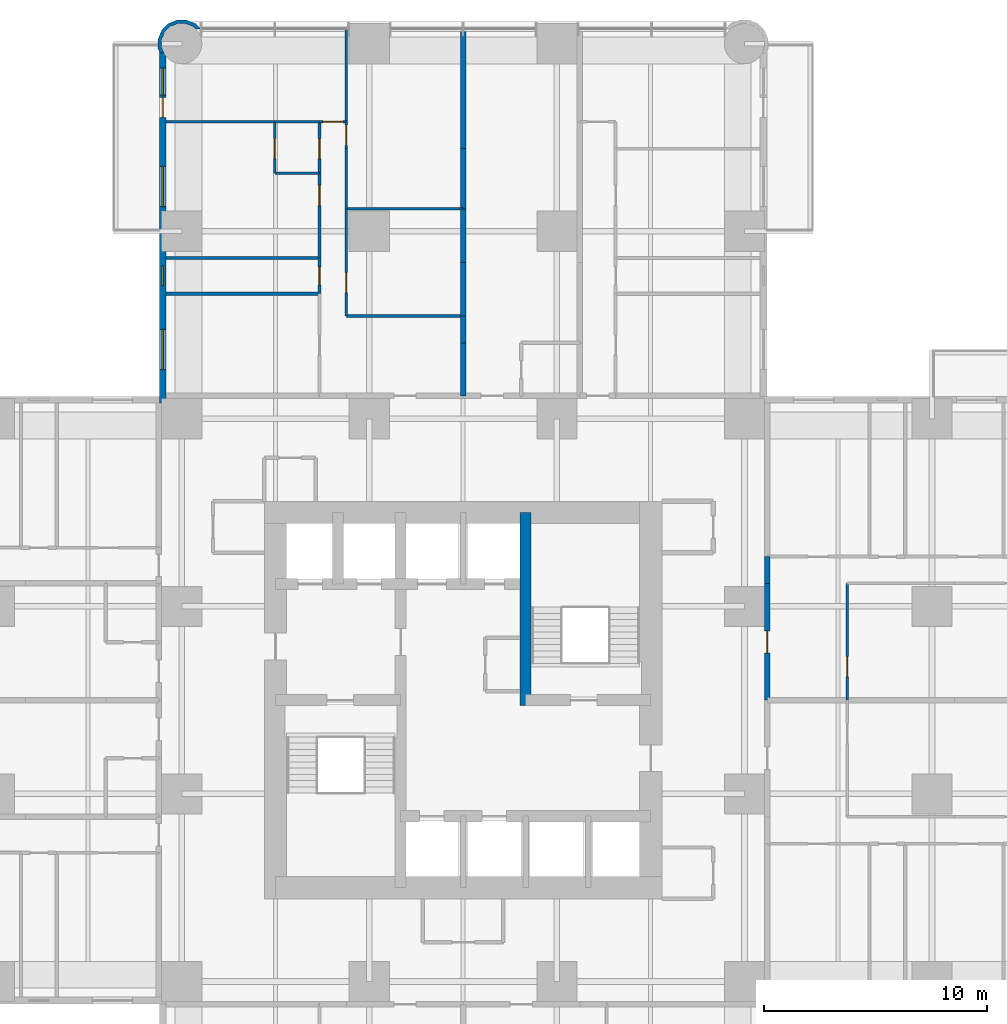
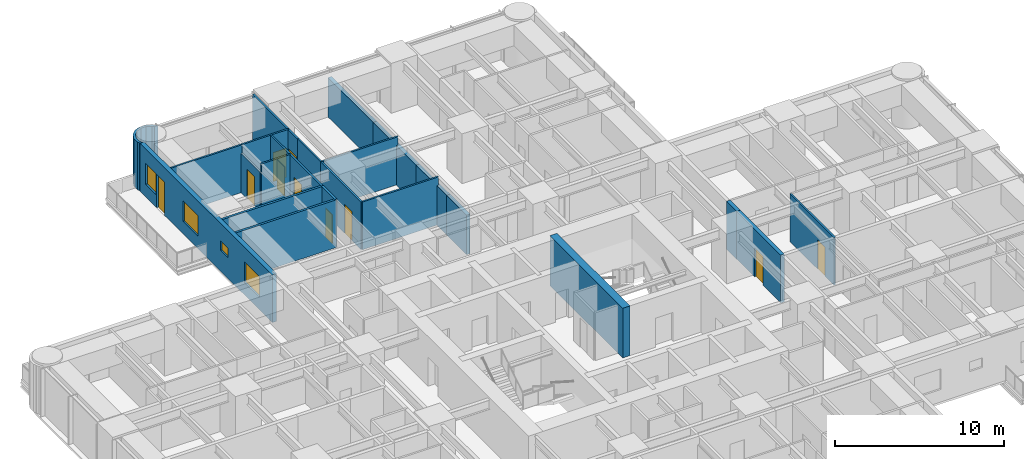
# One storey, part 13 of 17: 28 walls, 10 doors, 4 windows, 14 openings.
"""IFC4 building model written with IfcOpenShell, lengths in metres."""

from ifc_helpers import new_model, si_unit, direction, frame, frame_2d, origin, place, context, subcontext, project, spatial, polyline, rectangle, outline, extrude, material, layer, layer_set, type_object, element, fill, save


model = new_model("IFC4")

# Units and contexts
model_context = context("Model", 3, precision=1e-05, world=origin(), true_north=direction((0.0, 1.0)))
body_context = subcontext(model_context, "Body", "Model", "MODEL_VIEW")
ifc_project = project(units=[si_unit("LENGTHUNIT", "METRE"), si_unit("AREAUNIT", "SQUARE_METRE"), si_unit("VOLUMEUNIT", "CUBIC_METRE"), si_unit("PLANEANGLEUNIT", "RADIAN"), si_unit("MASSUNIT", "GRAM", prefix="KILO")], contexts=[model_context])

# Site, building, storey
site_placement = place(None, origin())
site = spatial("IfcSite", under=ifc_project, at=site_placement, CompositionType="ELEMENT")
building_placement = place(site_placement, origin())
building = spatial("IfcBuilding", under=site, at=building_placement, Name="Torre Alcanfor", CompositionType="ELEMENT")
storey_placement = place(building_placement, frame((0.0, 0.0, 66.89990234375)))
storey = spatial("IfcBuildingStorey", under=building, at=storey_placement, Name="L16", CompositionType="ELEMENT", Elevation=66.89990234375)

# Wall, opening, door
ifc_material_1 = material(Name="Concrete block masonry, hollow blocks NMX-C-404 9 MPa", Category="masonry")
ifc_layer_1 = layer(ifc_material_1, 0.25)
ifc_layer_set_1 = layer_set([ifc_layer_1], Name="Apartment entrance wall 250 EI 60")
wall_type_1 = type_object("IfcWallType", Name="Apartment entrance wall 250 EI 60", PredefinedType="PARTITIONING", material=ifc_layer_set_1)
wall_1_placement = place(storey_placement, frame((43.02490234375, 34.62890625, 0.0), z_axis=(0.0, 0.0, 1.0), x_axis=(0.0, -1.0, 0.0)))
wall_1 = element("IfcWall", 1, at=wall_1_placement, inside=storey, type_object=wall_type_1, Name="Partition L16-CORR / L16-E1-ZAG", PredefinedType="PARTITIONING", context=body_context, shape_type="SweptSolid", body=[
    extrude(rectangle(XDim=5.22900390625, YDim=0.25, at=frame_2d((2.614501953125, 0.0))), origin(), (0.0, 0.0, 1.0), 3.4501953125),
])
opening_1_placement = place(wall_1_placement, frame((2.12890625, 0.0, 0.0)))
opening_1 = element("IfcOpeningElement", 2, at=opening_1_placement, cuts=wall_1, Name="Opening D-A1", PredefinedType="OPENING", context=body_context, shape_type="SweptSolid", body=[
    extrude(rectangle(XDim=1.0, YDim=2.10009765625, at=frame_2d((0.5, 1.050048828125))), frame((0.0, 0.135009765625, 0.0), z_axis=(0.0, -1.0, 0.0), x_axis=(1.0, 0.0, 0.0)), (0.0, 0.0, 1.0), 0.27001953125),
])
ifc_material_2 = material(Name="Galvanised steel sheet ASTM A653", Category="steel")
door_type_1 = type_object("IfcDoorType", Name="Apartment entrance door FD60 1000x2100", OperationType="SINGLE_SWING_LEFT", PredefinedType="DOOR", material=ifc_material_2)
door_1_placement = place(opening_1_placement, origin())
door_1 = element("IfcDoor", 3, at=door_1_placement, inside=storey, type_object=door_type_1, Name="Apartment entrance L16-E1", OperationType="SINGLE_SWING_RIGHT", OverallHeight=2.10009765625, OverallWidth=1.0, PredefinedType="DOOR", context=body_context, shape_type="SweptSolid", body=[
    extrude(rectangle(XDim=1.0, YDim=2.10009765625, at=frame_2d((0.5, 1.050048828125))), frame((0.0, 0.02490234375, 0.0), z_axis=(0.0, -1.0, 0.0), x_axis=(1.0, 0.0, 0.0)), (0.0, 0.0, 1.0), 0.050048828125),
])
fill(opening_1, door_1)

# Walls
wall_2_placement = place(storey_placement, frame((43.02490234375, 35.8291015625, 0.0), z_axis=(0.0, 0.0, 1.0), x_axis=(0.0, -1.0, 0.0)))
element("IfcWall", 4, at=wall_2_placement, inside=storey, type_object=wall_type_1, Name="Partition L16-CORR / L16-E1-HALL", PredefinedType="PARTITIONING", context=body_context, shape_type="SweptSolid", body=[
    extrude(rectangle(XDim=1.2001953125, YDim=0.25, at=frame_2d((0.60009765625, 0.0))), origin(), (0.0, 0.0, 1.0), 3.4501953125),
])
ifc_material_3 = material(Name="Gypsum board on steel studs", Category="steel")
ifc_layer_2 = layer(ifc_material_3, 0.1201171875)
ifc_layer_set_2 = layer_set([ifc_layer_2], Name="Apartment partition 120")
wall_type_2 = type_object("IfcWallType", Name="Apartment partition 120", PredefinedType="PARTITIONING", material=ifc_layer_set_2)
for number, where, z_axis, x_axis, name in (
    (5, (29.39990234375, 46.60009765625, 0.0), (0.0, 0.0, 1.0), (-1.0, 0.0, 0.0), "Partition L16-N1-ZAG / L16-N1-FAMILY"),
    (6, (29.39990234375, 51.39990234375, 0.0), (0.0, 0.0, 1.0), (-1.0, 0.0, 0.0), "Partition L16-N1-FAMILY / L16-N1-KITCHEN"),
):
    element("IfcWall", number, at=place(storey_placement, frame(where, z_axis=z_axis, x_axis=x_axis)), inside=storey, type_object=wall_type_2, Name=name, PredefinedType="PARTITIONING", context=body_context, shape_type="SweptSolid", body=[
        extrude(rectangle(XDim=5.22900390625, YDim=0.1201171875, at=frame_2d((2.614501953125, 0.0))), origin(), (0.0, 0.0, 1.0), 3.4501953125),
    ])

# Wall, opening, door
wall_3_placement = place(storey_placement, frame((24.1708984375, 51.39990234375, 0.0), z_axis=(0.0, 0.0, 1.0), x_axis=(0.0, -1.0, 0.0)))
wall_3 = element("IfcWall", 7, at=wall_3_placement, inside=storey, type_object=wall_type_2, Name="Partition L16-N1-FAMILY / L16-N1-HALL", PredefinedType="PARTITIONING", context=body_context, shape_type="SweptSolid", body=[
    extrude(rectangle(XDim=4.7998046875, YDim=0.1201171875, at=frame_2d((2.39990234375, 0.0))), origin(), (0.0, 0.0, 1.0), 3.4501953125),
])
opening_2_placement = place(wall_3_placement, frame((2.85009765625, 0.0, 0.0)))
opening_2 = element("IfcOpeningElement", 8, at=opening_2_placement, cuts=wall_3, Name="Opening D-R1", PredefinedType="OPENING", context=body_context, shape_type="SweptSolid", body=[
    extrude(rectangle(XDim=0.89990234375, YDim=2.10009765625, at=frame_2d((0.449951171875, 1.050048828125))), frame((0.0, 0.070068359375, 0.0), z_axis=(0.0, -1.0, 0.0), x_axis=(1.0, 0.0, 0.0)), (0.0, 0.0, 1.0), 0.14013671875),
])
ifc_material_4 = material(Name="Timber", Category="wood")
door_type_2 = type_object("IfcDoorType", Name="Internal door 900x2100", OperationType="SINGLE_SWING_LEFT", PredefinedType="DOOR", material=ifc_material_4)
door_2_placement = place(opening_2_placement, origin())
door_2 = element("IfcDoor", 9, at=door_2_placement, inside=storey, type_object=door_type_2, Name="Door L16-N1 family", OperationType="SINGLE_SWING_RIGHT", OverallHeight=2.10009765625, OverallWidth=0.89990234375, PredefinedType="DOOR", context=body_context, shape_type="SweptSolid", body=[
    extrude(rectangle(XDim=0.89990234375, YDim=2.10009765625, at=frame_2d((0.449951171875, 1.050048828125))), frame((0.0, 0.02490234375, 0.0), z_axis=(0.0, -1.0, 0.0), x_axis=(1.0, 0.0, 0.0)), (0.0, 0.0, 1.0), 0.050048828125),
])
fill(opening_2, door_2)

# Wall
wall_4_placement = place(storey_placement, frame((24.1708984375, 54.10009765625, 0.0), z_axis=(0.0, 0.0, 1.0), x_axis=(0.0, -1.0, 0.0)))
element("IfcWall", 10, at=wall_4_placement, inside=storey, type_object=wall_type_2, Name="Partition L16-N1-KITCHEN / L16-N1-HALL", PredefinedType="PARTITIONING", context=body_context, shape_type="SweptSolid", body=[
    extrude(rectangle(XDim=2.7001953125, YDim=0.1201171875, at=frame_2d((1.35009765625, 0.0))), origin(), (0.0, 0.0, 1.0), 3.4501953125),
])

# Wall, opening, door
wall_5_placement = place(storey_placement, frame((24.1708984375, 55.300048828125, 0.0), z_axis=(0.0, 0.0, 1.0), x_axis=(0.0, -1.0, 0.0)))
wall_5 = element("IfcWall", 11, at=wall_5_placement, inside=storey, type_object=wall_type_2, Name="Partition L16-N1-LIVING / L16-N1-HALL", PredefinedType="PARTITIONING", context=body_context, shape_type="SweptSolid", body=[
    extrude(rectangle(XDim=1.199951171875, YDim=0.1201171875, at=frame_2d((0.60009765625, 0.0))), origin(), (0.0, 0.0, 1.0), 3.4501953125),
])
opening_3_placement = place(wall_5_placement, frame((0.14990234375, 0.0, 0.0)))
opening_3 = element("IfcOpeningElement", 12, at=opening_3_placement, cuts=wall_5, Name="Opening D-R1", PredefinedType="OPENING", context=body_context, shape_type="SweptSolid", body=[
    extrude(rectangle(XDim=0.89990234375, YDim=2.10009765625, at=frame_2d((0.449951171875, 1.050048828125))), frame((0.0, 0.070068359375, 0.0), z_axis=(0.0, -1.0, 0.0), x_axis=(1.0, 0.0, 0.0)), (0.0, 0.0, 1.0), 0.14013671875),
])
door_3_placement = place(opening_3_placement, origin())
door_3 = element("IfcDoor", 13, at=door_3_placement, inside=storey, type_object=door_type_2, Name="Door L16-N1 living", OperationType="SINGLE_SWING_RIGHT", OverallHeight=2.10009765625, OverallWidth=0.89990234375, PredefinedType="DOOR", context=body_context, shape_type="SweptSolid", body=[
    extrude(rectangle(XDim=0.89990234375, YDim=2.10009765625, at=frame_2d((0.449951171875, 1.050048828125))), frame((0.0, 0.02490234375, 0.0), z_axis=(0.0, -1.0, 0.0), x_axis=(1.0, 0.0, 0.0)), (0.0, 0.0, 1.0), 0.050048828125),
])
fill(opening_3, door_3)

# Wall
wall_6_placement = place(storey_placement, frame((24.1708984375, 59.449951171875, 0.0), z_axis=(0.0, 0.0, 1.0), x_axis=(0.0, -1.0, 0.0)))
element("IfcWall", 14, at=wall_6_placement, inside=storey, type_object=wall_type_2, Name="Partition L16-N1-LIVING / L16-N1-WGARD", PredefinedType="PARTITIONING", context=body_context, shape_type="SweptSolid", body=[
    extrude(rectangle(XDim=4.14990234375, YDim=0.1201171875, at=frame_2d((2.074951171875, 0.0))), origin(), (0.0, 0.0, 1.0), 3.4501953125),
])

# Wall, opening, door
wall_7_placement = place(storey_placement, frame((22.970947265625, 53.0, 0.0), z_axis=(0.0, 0.0, 1.0), x_axis=(0.0, -1.0, 0.0)))
wall_7 = element("IfcWall", 15, at=wall_7_placement, inside=storey, type_object=wall_type_2, Name="Partition L16-N1-HALL / L16-N1-MASTER", PredefinedType="PARTITIONING", context=body_context, shape_type="SweptSolid", body=[
    extrude(rectangle(XDim=3.800048828125, YDim=0.1201171875, at=frame_2d((1.89990234375, 0.0))), origin(), (0.0, 0.0, 1.0), 3.4501953125),
])
opening_4_placement = place(wall_7_placement, frame((0.550048828125, 0.0, 0.0)))
opening_4 = element("IfcOpeningElement", 16, at=opening_4_placement, cuts=wall_7, Name="Opening D-R1", PredefinedType="OPENING", context=body_context, shape_type="SweptSolid", body=[
    extrude(rectangle(XDim=0.89990234375, YDim=2.10009765625, at=frame_2d((0.449951171875, 1.050048828125))), frame((0.0, 0.070068359375, 0.0), z_axis=(0.0, -1.0, 0.0), x_axis=(1.0, 0.0, 0.0)), (0.0, 0.0, 1.0), 0.14013671875),
])
door_4_placement = place(opening_4_placement, frame((0.89990234375, 0.0, 0.0), z_axis=(0.0, 0.0, 1.0), x_axis=(-1.0, 0.0, 0.0)))
door_4 = element("IfcDoor", 17, at=door_4_placement, inside=storey, type_object=door_type_2, Name="Door L16-N1 master", OperationType="SINGLE_SWING_RIGHT", OverallHeight=2.10009765625, OverallWidth=0.89990234375, PredefinedType="DOOR", context=body_context, shape_type="SweptSolid", body=[
    extrude(rectangle(XDim=0.89990234375, YDim=2.10009765625, at=frame_2d((0.449951171875, 1.050048828125))), frame((0.0, 0.025146484375, 0.0), z_axis=(0.0, -1.0, 0.0), x_axis=(1.0, 0.0, 0.0)), (0.0, 0.0, 1.0), 0.050048828125),
])
fill(opening_4, door_4)

wall_8_placement = place(storey_placement, frame((22.970947265625, 55.300048828125, 0.0), z_axis=(0.0, 0.0, 1.0), x_axis=(0.0, -1.0, 0.0)))
wall_8 = element("IfcWall", 18, at=wall_8_placement, inside=storey, type_object=wall_type_2, Name="Partition L16-N1-HALL / L16-N1-VEST", PredefinedType="PARTITIONING", context=body_context, shape_type="SweptSolid", body=[
    extrude(rectangle(XDim=2.300048828125, YDim=0.1201171875, at=frame_2d((1.14990234375, 0.0))), origin(), (0.0, 0.0, 1.0), 3.4501953125),
])
opening_5_placement = place(wall_8_placement, frame((0.75, 0.0, 0.0)))
opening_5 = element("IfcOpeningElement", 19, at=opening_5_placement, cuts=wall_8, Name="Opening D-R1", PredefinedType="OPENING", context=body_context, shape_type="SweptSolid", body=[
    extrude(rectangle(XDim=0.89990234375, YDim=2.10009765625, at=frame_2d((0.449951171875, 1.050048828125))), frame((0.0, 0.070068359375, 0.0), z_axis=(0.0, -1.0, 0.0), x_axis=(1.0, 0.0, 0.0)), (0.0, 0.0, 1.0), 0.14013671875),
])
door_5_placement = place(opening_5_placement, frame((0.89990234375, 0.0, 0.0), z_axis=(0.0, 0.0, 1.0), x_axis=(-1.0, 0.0, 0.0)))
door_5 = element("IfcDoor", 20, at=door_5_placement, inside=storey, type_object=door_type_2, Name="Door L16-N1 vest", OperationType="SINGLE_SWING_LEFT", OverallHeight=2.10009765625, OverallWidth=0.89990234375, PredefinedType="DOOR", context=body_context, shape_type="SweptSolid", body=[
    extrude(rectangle(XDim=0.89990234375, YDim=2.10009765625, at=frame_2d((0.449951171875, 1.050048828125))), frame((0.0, 0.025146484375, 0.0), z_axis=(0.0, -1.0, 0.0), x_axis=(1.0, 0.0, 0.0)), (0.0, 0.0, 1.0), 0.050048828125),
])
fill(opening_5, door_5)

wall_9_placement = place(storey_placement, frame((24.1708984375, 55.300048828125, 0.0), z_axis=(0.0, 0.0, 1.0), x_axis=(-1.0, 0.0, 0.0)))
wall_9 = element("IfcWall", 21, at=wall_9_placement, inside=storey, type_object=wall_type_2, Name="Partition L16-N1-HALL / L16-N1-WGARD", PredefinedType="PARTITIONING", context=body_context, shape_type="SweptSolid", body=[
    extrude(rectangle(XDim=1.199951171875, YDim=0.1201171875, at=frame_2d((0.60009765625, 0.0))), origin(), (0.0, 0.0, 1.0), 3.4501953125),
])
opening_6_placement = place(wall_9_placement, frame((0.15087890625, 0.0, 0.0)))
opening_6 = element("IfcOpeningElement", 22, at=opening_6_placement, cuts=wall_9, Name="Opening D-R1", PredefinedType="OPENING", context=body_context, shape_type="SweptSolid", body=[
    extrude(rectangle(XDim=0.89990234375, YDim=2.10009765625, at=frame_2d((0.449951171875, 1.050048828125))), frame((0.0, 0.070068359375, 0.0), z_axis=(0.0, -1.0, 0.0), x_axis=(1.0, 0.0, 0.0)), (0.0, 0.0, 1.0), 0.14013671875),
])
door_6_placement = place(opening_6_placement, frame((0.89990234375, 0.0, 0.0), z_axis=(0.0, 0.0, 1.0), x_axis=(-1.0, 0.0, 0.0)))
door_6 = element("IfcDoor", 23, at=door_6_placement, inside=storey, type_object=door_type_2, Name="Door L16-N1 wgard", OperationType="SINGLE_SWING_RIGHT", OverallHeight=2.10009765625, OverallWidth=0.89990234375, PredefinedType="DOOR", context=body_context, shape_type="SweptSolid", body=[
    extrude(rectangle(XDim=0.89990234375, YDim=2.10009765625, at=frame_2d((0.449951171875, 1.050048828125))), frame((0.0, 0.025146484375, 0.0), z_axis=(0.0, -1.0, 0.0), x_axis=(1.0, 0.0, 0.0)), (0.0, 0.0, 1.0), 0.050048828125),
])
fill(opening_6, door_6)

wall_10_placement = place(storey_placement, frame((20.970947265625, 55.300048828125, 0.0), z_axis=(0.0, 0.0, 1.0), x_axis=(0.0, -1.0, 0.0)))
wall_10 = element("IfcWall", 24, at=wall_10_placement, inside=storey, type_object=wall_type_2, Name="Partition L16-N1-MASTER / L16-N1-VEST", PredefinedType="PARTITIONING", context=body_context, shape_type="SweptSolid", body=[
    extrude(rectangle(XDim=2.300048828125, YDim=0.1201171875, at=frame_2d((1.14990234375, 0.0))), origin(), (0.0, 0.0, 1.0), 2.84814453125),
])
opening_7_placement = place(wall_10_placement, frame((0.75, 0.0, 0.0)))
opening_7 = element("IfcOpeningElement", 25, at=opening_7_placement, cuts=wall_10, Name="Opening D-R1", PredefinedType="OPENING", context=body_context, shape_type="SweptSolid", body=[
    extrude(rectangle(XDim=0.89990234375, YDim=2.10009765625, at=frame_2d((0.449951171875, 1.050048828125))), frame((0.0, 0.070068359375, 0.0), z_axis=(0.0, -1.0, 0.0), x_axis=(1.0, 0.0, 0.0)), (0.0, 0.0, 1.0), 0.14013671875),
])
door_7_placement = place(opening_7_placement, origin())
door_7 = element("IfcDoor", 26, at=door_7_placement, inside=storey, type_object=door_type_2, Name="Door L16-N1 master", OperationType="SINGLE_SWING_RIGHT", OverallHeight=2.10009765625, OverallWidth=0.89990234375, PredefinedType="DOOR", context=body_context, shape_type="SweptSolid", body=[
    extrude(rectangle(XDim=0.89990234375, YDim=2.10009765625, at=frame_2d((0.449951171875, 1.050048828125))), frame((0.0, 0.02490234375, 0.0), z_axis=(0.0, -1.0, 0.0), x_axis=(1.0, 0.0, 0.0)), (0.0, 0.0, 1.0), 0.050048828125),
])
fill(opening_7, door_7)

# Walls
wall_11_placement = place(storey_placement, frame((20.970947265625, 53.0, 0.0), z_axis=(0.0, 0.0, 1.0), x_axis=(1.0, 0.0, 0.0)))
element("IfcWall", 27, at=wall_11_placement, inside=storey, type_object=wall_type_2, Name="Partition L16-N1-MASTER / L16-N1-VEST", PredefinedType="PARTITIONING", context=body_context, shape_type="SweptSolid", body=[
    extrude(rectangle(XDim=2.0, YDim=0.1201171875, at=frame_2d((1.0, 0.0))), origin(), (0.0, 0.0, 1.0), 3.4501953125),
])
wall_12_placement = place(storey_placement, frame((16.10009765625, 55.300048828125, 0.0), z_axis=(0.0, 0.0, 1.0), x_axis=(1.0, 0.0, 0.0)))
element("IfcWall", 28, at=wall_12_placement, inside=storey, type_object=wall_type_2, Name="Partition L16-N1-MASTER / L16-N1-WGARD", PredefinedType="PARTITIONING", context=body_context, shape_type="SweptSolid", body=[
    extrude(rectangle(XDim=4.870849609375, YDim=0.1201171875, at=frame_2d((2.435546875, 0.0))), origin(), (0.0, 0.0, 1.0), 3.4501953125),
])
wall_13_placement = place(storey_placement, frame((22.970947265625, 55.300048828125, 0.0), z_axis=(0.0, 0.0, 1.0), x_axis=(-1.0, 0.0, 0.0)))
element("IfcWall", 29, at=wall_13_placement, inside=storey, type_object=wall_type_2, Name="Partition L16-N1-VEST / L16-N1-WGARD", PredefinedType="PARTITIONING", context=body_context, shape_type="SweptSolid", body=[
    extrude(rectangle(XDim=2.0, YDim=0.1201171875, at=frame_2d((1.0, 0.0))), origin(), (0.0, 0.0, 1.0), 3.4501953125),
])

# Wall, opening, door
wall_14_placement = place(storey_placement, frame((46.60009765625, 29.39990234375, 0.0), z_axis=(0.0, 0.0, 1.0), x_axis=(0.0, 1.0, 0.0)))
wall_14 = element("IfcWall", 30, at=wall_14_placement, inside=storey, type_object=wall_type_2, Name="Partition L16-E1-ZAG / L16-E1-KITCHEN", PredefinedType="PARTITIONING", context=body_context, shape_type="SweptSolid", body=[
    extrude(rectangle(XDim=5.22900390625, YDim=0.1201171875, at=frame_2d((2.614501953125, 0.0))), origin(), (0.0, 0.0, 1.0), 3.4501953125),
])
opening_8_placement = place(wall_14_placement, frame((1.050048828125, 0.0, 0.0)))
opening_8 = element("IfcOpeningElement", 31, at=opening_8_placement, cuts=wall_14, Name="Opening D-R1", PredefinedType="OPENING", context=body_context, shape_type="SweptSolid", body=[
    extrude(rectangle(XDim=0.89990234375, YDim=2.10009765625, at=frame_2d((0.449951171875, 1.050048828125))), frame((0.0, 0.070068359375, 0.0), z_axis=(0.0, -1.0, 0.0), x_axis=(1.0, 0.0, 0.0)), (0.0, 0.0, 1.0), 0.14013671875),
])
door_8_placement = place(opening_8_placement, frame((0.89990234375, 0.0, 0.0), z_axis=(0.0, 0.0, 1.0), x_axis=(-1.0, 0.0, 0.0)))
door_8 = element("IfcDoor", 32, at=door_8_placement, inside=storey, type_object=door_type_2, Name="Door L16-E1 kitchen", OperationType="SINGLE_SWING_RIGHT", OverallHeight=2.10009765625, OverallWidth=0.89990234375, PredefinedType="DOOR", context=body_context, shape_type="SweptSolid", body=[
    extrude(rectangle(XDim=0.89990234375, YDim=2.10009765625, at=frame_2d((0.449951171875, 1.050048828125))), frame((0.0, 0.025146484375, 0.0), z_axis=(0.0, -1.0, 0.0), x_axis=(1.0, 0.0, 0.0)), (0.0, 0.0, 1.0), 0.050048828125),
])
fill(opening_8, door_8)

# Wall
ifc_material_5 = material(Name="Concrete f'c 70 MPa", Category="concrete")
ifc_layer_3 = layer(ifc_material_5, 0.5)
ifc_layer_set_3 = layer_set([ifc_layer_3], Name="Core inner wall 500 f'c70")
wall_type_3 = type_object("IfcWallType", Name="Core inner wall 500 f'c70", PredefinedType="SHEAR", material=ifc_layer_set_3)
wall_15_placement = place(storey_placement, frame((32.199951171875, 29.14990234375, 0.0), z_axis=(0.0, 0.0, 1.0), x_axis=(0.0, 1.0, 0.0)))
element("IfcWall", 33, at=wall_15_placement, inside=storey, type_object=wall_type_3, Name="Core wall X322N L16", PredefinedType="SHEAR", context=body_context, shape_type="SweptSolid", body=[
    extrude(rectangle(XDim=8.650146484375, YDim=0.5, at=frame_2d((4.3251953125, 0.0))), origin(), (0.0, 0.0, 1.0), 3.60009765625),
])

# Wall, openings, door, windows
ifc_material_6 = material(Name="Limestone cladding", Category="masonry")
ifc_layer_4 = layer(ifc_material_6, 0.0400390625, Name="Facing")
ifc_material_7 = material(Name="Ventilated air cavity")
ifc_layer_5 = layer(ifc_material_7, 0.02001953125, ventilated=True, Name="Ventilated joint")
ifc_material_8 = material(Name="Mineral wool insulation", Category="insulation")
ifc_layer_6 = layer(ifc_material_8, 0.10009765625, Name="Insulation")
ifc_material_9 = material(Name="Concrete f'c 35 MPa", Category="concrete")
ifc_layer_7 = layer(ifc_material_9, 0.139892578125, Name="Backing")
ifc_layer_set_4 = layer_set([ifc_layer_4, ifc_layer_5, ifc_layer_6, ifc_layer_7], Name="External wall stone-clad 300")
wall_type_4 = type_object("IfcWallType", Name="External wall stone-clad 300", PredefinedType="SOLIDWALL", material=ifc_layer_set_4)
wall_16_placement = place(storey_placement, frame((15.949951171875, 58.39990234375, 0.0), z_axis=(0.0, 0.0, 1.0), x_axis=(0.0, -1.0, 0.0)))
wall_16 = element("IfcWall", 34, at=wall_16_placement, inside=storey, type_object=wall_type_4, Name="External wall L16 12", PredefinedType="SOLIDWALL", context=body_context, shape_type="SweptSolid", body=[
    extrude(rectangle(XDim=15.699951171875, YDim=0.300048828125, at=frame_2d((7.85009765625, 0.0))), origin(), (0.0, 0.0, 1.0), 3.4501953125),
])
opening_9_placement = place(wall_16_placement, frame((12.39990234375, 0.0, 0.89990234375)))
opening_9 = element("IfcOpeningElement", 35, at=opening_9_placement, cuts=wall_16, Name="Opening W2", PredefinedType="OPENING", context=body_context, shape_type="SweptSolid", body=[
    extrude(rectangle(XDim=1.800048828125, YDim=1.5, at=frame_2d((0.89990234375, 0.75))), frame((0.0, 0.159912109375, 0.0), z_axis=(0.0, -1.0, 0.0), x_axis=(1.0, 0.0, 0.0)), (0.0, 0.0, 1.0), 0.320068359375),
])
opening_10_placement = place(wall_16_placement, frame((9.550048828125, 0.0, 1.5)))
opening_10 = element("IfcOpeningElement", 36, at=opening_10_placement, cuts=wall_16, Name="Opening W3", PredefinedType="OPENING", context=body_context, shape_type="SweptSolid", body=[
    extrude(rectangle(XDim=0.89990234375, YDim=0.699951171875, at=frame_2d((0.449951171875, 0.35009765625))), frame((0.0, 0.159912109375, 0.0), z_axis=(0.0, -1.0, 0.0), x_axis=(1.0, 0.0, 0.0)), (0.0, 0.0, 1.0), 0.320068359375),
])
opening_11_placement = place(wall_16_placement, frame((5.10009765625, 0.0, 0.89990234375)))
opening_11 = element("IfcOpeningElement", 37, at=opening_11_placement, cuts=wall_16, Name="Opening W2", PredefinedType="OPENING", context=body_context, shape_type="SweptSolid", body=[
    extrude(rectangle(XDim=1.800048828125, YDim=1.5, at=frame_2d((0.89990234375, 0.75))), frame((0.0, 0.159912109375, 0.0), z_axis=(0.0, -1.0, 0.0), x_axis=(1.0, 0.0, 0.0)), (0.0, 0.0, 1.0), 0.320068359375),
])
opening_12_placement = place(wall_16_placement, frame((2.0, 0.0, 0.0)))
opening_12 = element("IfcOpeningElement", 38, at=opening_12_placement, cuts=wall_16, Name="Opening D-B1", PredefinedType="OPENING", context=body_context, shape_type="SweptSolid", body=[
    extrude(rectangle(XDim=0.89990234375, YDim=2.39990234375, at=frame_2d((0.449951171875, 1.199951171875))), frame((0.0, 0.159912109375, 0.0), z_axis=(0.0, -1.0, 0.0), x_axis=(1.0, 0.0, 0.0)), (0.0, 0.0, 1.0), 0.320068359375),
])
opening_13_placement = place(wall_16_placement, frame((0.699951171875, 0.0, 0.89990234375)))
opening_13 = element("IfcOpeningElement", 39, at=opening_13_placement, cuts=wall_16, Name="Opening W4", PredefinedType="OPENING", context=body_context, shape_type="SweptSolid", body=[
    extrude(rectangle(XDim=1.199951171875, YDim=1.5, at=frame_2d((0.60009765625, 0.75))), frame((0.0, 0.159912109375, 0.0), z_axis=(0.0, -1.0, 0.0), x_axis=(1.0, 0.0, 0.0)), (0.0, 0.0, 1.0), 0.320068359375),
])
ifc_material_10 = material(Name="Aluminium and glass", Category="aluminium")
door_type_3 = type_object("IfcDoorType", Name="Balcony door glazed 900x2400", OperationType="SINGLE_SWING_LEFT", PredefinedType="DOOR", material=ifc_material_10)
door_9_placement = place(opening_12_placement, origin())
door_9 = element("IfcDoor", 40, at=door_9_placement, inside=storey, type_object=door_type_3, Name="Balcony door L16-N1", OperationType="SINGLE_SWING_RIGHT", OverallHeight=2.39990234375, OverallWidth=0.89990234375, PredefinedType="DOOR", context=body_context, shape_type="SweptSolid", body=[
    extrude(rectangle(XDim=0.89990234375, YDim=2.39990234375, at=frame_2d((0.449951171875, 1.199951171875))), frame((0.0, 0.02490234375, 0.0), z_axis=(0.0, -1.0, 0.0), x_axis=(1.0, 0.0, 0.0)), (0.0, 0.0, 1.0), 0.050048828125),
])
fill(opening_12, door_9)
ifc_material_11 = material(Name="Aluminium frame with clear double glazing", Category="aluminium")
window_type_1 = type_object("IfcWindowType", Name="Window bathroom 900x700", PartitioningType="SINGLE_PANEL", PredefinedType="WINDOW", material=ifc_material_11)
window_1_placement = place(opening_10_placement, origin())
window_1 = element("IfcWindow", 41, at=window_1_placement, inside=storey, type_object=window_type_1, Name="Window W3 L16-N1", OverallHeight=0.699951171875, OverallWidth=0.89990234375, PartitioningType="SINGLE_PANEL", PredefinedType="WINDOW", context=body_context, shape_type="SweptSolid", body=[
    extrude(rectangle(XDim=0.89990234375, YDim=0.699951171875, at=frame_2d((0.449951171875, 0.35009765625))), frame((0.0, 0.030029296875, 0.0), z_axis=(0.0, -1.0, 0.0), x_axis=(1.0, 0.0, 0.0)), (0.0, 0.0, 1.0), 0.06005859375),
])
fill(opening_10, window_1)
ifc_material_12 = material(Name="Aluminium frame with clear double glazing", Category="aluminium")
window_type_2 = type_object("IfcWindowType", Name="Window bedroom 1200x1500", PartitioningType="SINGLE_PANEL", PredefinedType="WINDOW", material=ifc_material_12)
window_2_placement = place(opening_13_placement, origin())
window_2 = element("IfcWindow", 42, at=window_2_placement, inside=storey, type_object=window_type_2, Name="Window W4 L16-N1", OverallHeight=1.5, OverallWidth=1.199951171875, PartitioningType="SINGLE_PANEL", PredefinedType="WINDOW", context=body_context, shape_type="SweptSolid", body=[
    extrude(rectangle(XDim=1.199951171875, YDim=1.5, at=frame_2d((0.60009765625, 0.75))), frame((0.0, 0.030029296875, 0.0), z_axis=(0.0, -1.0, 0.0), x_axis=(1.0, 0.0, 0.0)), (0.0, 0.0, 1.0), 0.06005859375),
])
fill(opening_13, window_2)
ifc_material_13 = material(Name="Aluminium frame with clear double glazing", Category="aluminium")
window_type_3 = type_object("IfcWindowType", Name="Window bedroom 1800x1500", PartitioningType="SINGLE_PANEL", PredefinedType="WINDOW", material=ifc_material_13)
window_3_placement = place(opening_9_placement, origin())
window_3 = element("IfcWindow", 43, at=window_3_placement, inside=storey, type_object=window_type_3, Name="Window W2 L16-N1", OverallHeight=1.5, OverallWidth=1.800048828125, PartitioningType="SINGLE_PANEL", PredefinedType="WINDOW", context=body_context, shape_type="SweptSolid", body=[
    extrude(rectangle(XDim=1.800048828125, YDim=1.5, at=frame_2d((0.89990234375, 0.75))), frame((0.0, 0.030029296875, 0.0), z_axis=(0.0, -1.0, 0.0), x_axis=(1.0, 0.0, 0.0)), (0.0, 0.0, 1.0), 0.06005859375),
])
fill(opening_9, window_3)
window_4_placement = place(opening_11_placement, origin())
window_4 = element("IfcWindow", 44, at=window_4_placement, inside=storey, type_object=window_type_3, Name="Window W2 L16-N1", OverallHeight=1.5, OverallWidth=1.800048828125, PartitioningType="SINGLE_PANEL", PredefinedType="WINDOW", context=body_context, shape_type="SweptSolid", body=[
    extrude(rectangle(XDim=1.800048828125, YDim=1.5, at=frame_2d((0.89990234375, 0.75))), frame((0.0, 0.030029296875, 0.0), z_axis=(0.0, -1.0, 0.0), x_axis=(1.0, 0.0, 0.0)), (0.0, 0.0, 1.0), 0.06005859375),
])
fill(opening_11, window_4)

# Walls
ifc_material_14 = material(Name="Concrete block masonry, hollow blocks NMX-C-404 9 MPa", Category="masonry")
ifc_layer_8 = layer(ifc_material_14, 0.25)
ifc_layer_set_5 = layer_set([ifc_layer_8], Name="Party wall 250 EI 60")
wall_type_5 = type_object("IfcWallType", Name="Party wall 250 EI 60", PredefinedType="PARTITIONING", material=ifc_layer_set_5)
wall_17_placement = place(storey_placement, frame((29.39990234375, 43.02490234375, 0.0), z_axis=(0.0, 0.0, 1.0), x_axis=(0.0, 1.0, 0.0)))
element("IfcWall", 45, at=wall_17_placement, inside=storey, type_object=wall_type_5, Name="Partition L16-N1-ZAG / L16-N2A-FOYER", PredefinedType="PARTITIONING", context=body_context, shape_type="SweptSolid", body=[
    extrude(rectangle(XDim=2.375, YDim=0.25, at=frame_2d((1.1875, 0.0))), origin(), (0.0, 0.0, 1.0), 2.84814453125),
])
wall_18_placement = place(storey_placement, frame((29.39990234375, 45.39990234375, 0.0), z_axis=(0.0, 0.0, 1.0), x_axis=(0.0, 1.0, 0.0)))
element("IfcWall", 46, at=wall_18_placement, inside=storey, type_object=wall_type_5, Name="Partition L16-N1-ZAG / L16-N2A-KITCHEN", PredefinedType="PARTITIONING", context=body_context, shape_type="SweptSolid", body=[
    extrude(rectangle(XDim=1.2001953125, YDim=0.25, at=frame_2d((0.60009765625, 0.0))), origin(), (0.0, 0.0, 1.0), 2.84814453125),
])
for number, where, z_axis, x_axis, name in (
    (47, (29.39990234375, 46.60009765625, 0.0), (0.0, 0.0, 1.0), (0.0, 1.0, 0.0), "Partition L16-N1-FAMILY / L16-N2A-KITCHEN"),
    (48, (29.39990234375, 49.0, 0.0), (0.0, 0.0, 1.0), (0.0, 1.0, 0.0), "Partition L16-N1-FAMILY / L16-N2A-STUDIO"),
):
    element("IfcWall", number, at=place(storey_placement, frame(where, z_axis=z_axis, x_axis=x_axis)), inside=storey, type_object=wall_type_5, Name=name, PredefinedType="PARTITIONING", context=body_context, shape_type="SweptSolid", body=[
        extrude(rectangle(XDim=2.39990234375, YDim=0.25, at=frame_2d((1.199951171875, 0.0))), origin(), (0.0, 0.0, 1.0), 2.84814453125),
    ])
wall_19_placement = place(storey_placement, frame((29.39990234375, 51.39990234375, 0.0), z_axis=(0.0, 0.0, 1.0), x_axis=(0.0, 1.0, 0.0)))
element("IfcWall", 49, at=wall_19_placement, inside=storey, type_object=wall_type_5, Name="Partition L16-N1-KITCHEN / L16-N2A-STUDIO", PredefinedType="PARTITIONING", context=body_context, shape_type="SweptSolid", body=[
    extrude(rectangle(XDim=2.7001953125, YDim=0.25, at=frame_2d((1.35009765625, 0.0))), origin(), (0.0, 0.0, 1.0), 2.84814453125),
])
wall_20_placement = place(storey_placement, frame((29.39990234375, 54.10009765625, 0.0), z_axis=(0.0, 0.0, 1.0), x_axis=(0.0, 1.0, 0.0)))
element("IfcWall", 50, at=wall_20_placement, inside=storey, type_object=wall_type_5, Name="Partition L16-N1-LIVING / L16-N2A-STUDIO", PredefinedType="PARTITIONING", context=body_context, shape_type="SweptSolid", body=[
    extrude(rectangle(XDim=5.349853515625, YDim=0.25, at=frame_2d((2.6748046875, 0.0))), origin(), (0.0, 0.0, 1.0), 2.84814453125),
])
ifc_layer_9 = layer(ifc_material_6, 0.0400390625, Name="Facing")
ifc_layer_10 = layer(ifc_material_7, 0.02001953125, ventilated=True, Name="Ventilated joint")
ifc_layer_11 = layer(ifc_material_8, 0.10009765625, Name="Insulation")
ifc_layer_12 = layer(ifc_material_9, 0.139892578125, Name="Backing")
ifc_layer_set_6 = layer_set([ifc_layer_9, ifc_layer_10, ifc_layer_11, ifc_layer_12], Name="Rounded corner pier stone-clad 300")
wall_type_6 = type_object("IfcWallType", Name="Rounded corner pier stone-clad 300", PredefinedType="SOLIDWALL", material=ifc_layer_set_6)
wall_21_placement = place(storey_placement, frame((17.56659392, 59.410519256, 0.0), z_axis=(0.0, 0.0, 1.0), x_axis=(-0.377204953059, 0.926129809145, 0.0)))
element("IfcWall", 51, at=wall_21_placement, inside=storey, type_object=wall_type_6, Name="Corner pier L16 20", PredefinedType="SOLIDWALL", context=body_context, shape_type="SweptSolid", body=[
    extrude(outline(polyline([(-0.2696128896034876, 2.017259773730947), (-0.3700074466497617, 1.8406682313445892), (-0.10228391712117135, 1.84234447704578), (0.22963955939869596, 1.7071548112521016), (0.48448400216769655, 1.4552078217286728), (0.623591424193435, 1.1249193736895309), (0.6256953869469392, 0.7663384814459974), (0.4905057211532608, 0.43441500492612994), (0.23855873162983204, 0.17957056215712927), (0.0901868556189969, 0.11689353267829827), (0.010896458992050665, -0.07778365620699182), (0.024462813618203284, -0.08330911938656994), (0.3293875956360306, 0.04530321995417183), (0.4799529344667901, 0.19750641360159463), (0.4990544088845829, 0.19262629437695172), (0.507600976756774, 0.22526044306054033), (0.6260470289213595, 0.34520397592848606), (0.7850882774402169, 0.7356888832512456), (0.7822913942554518, 1.1572920874778148), (0.618751344370654, 1.5460366857348715), (0.3187584973433468, 1.8424700131097647), (-0.07172640997941271, 2.0015112616286217), (-0.24006791291721008, 2.0004813020300714), (-0.2696128896034876, 2.017259773730947)])), origin(), (0.0, 0.0, 1.0), 3.4501953125),
])

# Wall, opening, door
ifc_material_15 = material(Name="Cement board on steel studs", Category="steel")
ifc_layer_13 = layer(ifc_material_15, 0.14990234375)
ifc_layer_set_7 = layer_set([ifc_layer_13], Name="Wet area partition 150")
wall_type_7 = type_object("IfcWallType", Name="Wet area partition 150", PredefinedType="PARTITIONING", material=ifc_layer_set_7)
wall_22_placement = place(storey_placement, frame((22.970947265625, 49.199951171875, 0.0), z_axis=(0.0, 0.0, 1.0), x_axis=(0.0, -1.0, 0.0)))
wall_22 = element("IfcWall", 52, at=wall_22_placement, inside=storey, type_object=wall_type_7, Name="Partition L16-N1-HALL / L16-N1-BATH1", PredefinedType="PARTITIONING", context=body_context, shape_type="SweptSolid", body=[
    extrude(rectangle(XDim=1.599853515625, YDim=0.14990234375, at=frame_2d((0.7998046875, 0.0))), origin(), (0.0, 0.0, 1.0), 3.4501953125),
])
opening_14_placement = place(wall_22_placement, frame((0.39990234375, 0.0, 0.0)))
opening_14 = element("IfcOpeningElement", 53, at=opening_14_placement, cuts=wall_22, Name="Opening D-R2", PredefinedType="OPENING", context=body_context, shape_type="SweptSolid", body=[
    extrude(rectangle(XDim=0.800048828125, YDim=2.10009765625, at=frame_2d((0.39990234375, 1.050048828125))), frame((0.0, 0.0849609375, 0.0), z_axis=(0.0, -1.0, 0.0), x_axis=(1.0, 0.0, 0.0)), (0.0, 0.0, 1.0), 0.169921875),
])
ifc_material_16 = material(Name="Timber", Category="wood")
door_type_4 = type_object("IfcDoorType", Name="Bathroom door 800x2100", OperationType="SINGLE_SWING_LEFT", PredefinedType="DOOR", material=ifc_material_16)
door_10_placement = place(opening_14_placement, frame((0.800048828125, 0.0, 0.0), z_axis=(0.0, 0.0, 1.0), x_axis=(-1.0, 0.0, 0.0)))
door_10 = element("IfcDoor", 54, at=door_10_placement, inside=storey, type_object=door_type_4, Name="Door L16-N1 bath1", OperationType="SINGLE_SWING_RIGHT", OverallHeight=2.10009765625, OverallWidth=0.800048828125, PredefinedType="DOOR", context=body_context, shape_type="SweptSolid", body=[
    extrude(rectangle(XDim=0.800048828125, YDim=2.10009765625, at=frame_2d((0.400146484375, 1.050048828125))), frame((0.0, 0.025146484375, 0.0), z_axis=(0.0, -1.0, 0.0), x_axis=(1.0, 0.0, 0.0)), (0.0, 0.0, 1.0), 0.050048828125),
])
fill(opening_14, door_10)

# Walls
for number, where, z_axis, x_axis, name in (
    (55, (22.970947265625, 47.60009765625, 0.0), (0.0, 0.0, 1.0), (-1.0, 0.0, 0.0), "Partition L16-N1-BED2 / L16-N1-BATH1"),
    (56, (22.970947265625, 49.199951171875, 0.0), (0.0, 0.0, 1.0), (-1.0, 0.0, 0.0), "Partition L16-N1-BATH1 / L16-N1-MASTER"),
):
    element("IfcWall", number, at=place(storey_placement, frame(where, z_axis=z_axis, x_axis=x_axis)), inside=storey, type_object=wall_type_7, Name=name, PredefinedType="PARTITIONING", context=body_context, shape_type="SweptSolid", body=[
        extrude(rectangle(XDim=6.870849609375, YDim=0.14990234375, at=frame_2d((3.435546875, 0.0))), origin(), (0.0, 0.0, 1.0), 3.4501953125),
    ])

save(model, "model.ifc")
